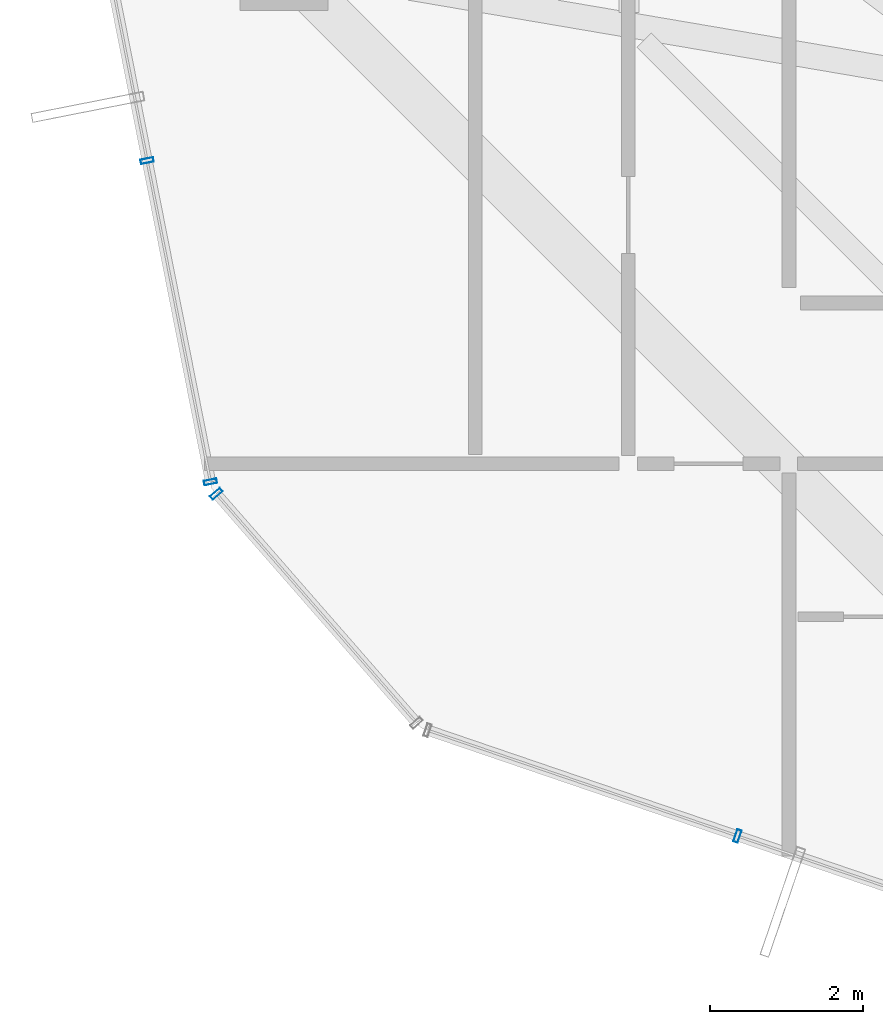
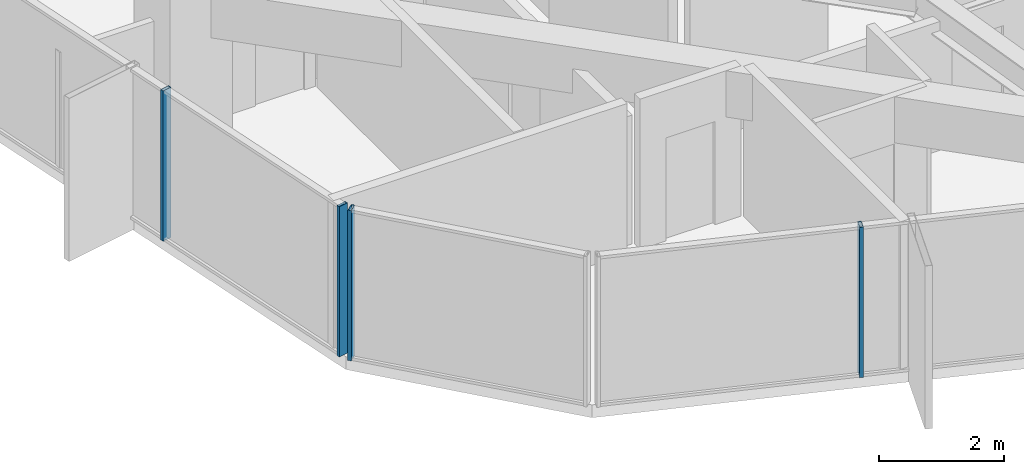
# One storey, part 4 of 36: 4 members, 3 elements without a shape of their own.
"""IFC4 building model written with IfcOpenShell, lengths in metres."""

from ifc_helpers import new_model, si_unit, direction, frame, origin, origin_2d, place, context, subcontext, project, spatial, hollow_rectangle, extrude, source, transform, mapped, material, layer, layer_set, material_profile, profile_set, type_object, element, aggregate, save


model = new_model("IFC4")

# Units and contexts
model_context = context("Model", 3, precision=1e-05, world=origin(), true_north=direction((0.0, 1.0)))
body_context = subcontext(model_context, "Body", "Model", "MODEL_VIEW")
ifc_project = project(units=[si_unit("LENGTHUNIT", "METRE"), si_unit("AREAUNIT", "SQUARE_METRE"), si_unit("VOLUMEUNIT", "CUBIC_METRE"), si_unit("PLANEANGLEUNIT", "RADIAN"), si_unit("MASSUNIT", "GRAM", prefix="KILO")], contexts=[model_context])

# Site, building, storey
site_placement = place(None, origin())
site = spatial("IfcSite", under=ifc_project, at=site_placement, CompositionType="ELEMENT")
building_placement = place(site_placement, origin())
building = spatial("IfcBuilding", under=site, at=building_placement, Name="Veraguas Prism Commons", CompositionType="ELEMENT")
storey_placement = place(building_placement, frame((0.0, 0.0, 166.300048828125)))
storey = spatial("IfcBuildingStorey", under=building, at=storey_placement, Name="L47", CompositionType="ELEMENT", Elevation=166.300048828125)

# Curtain wall, members
ifc_material = material(Name="Anodised aluminium EN AW-6063 T6", Category="aluminium")
ifc_layer = layer(ifc_material, 0.169921875, Name="Unitised Flush Curtain Wall Zone 2", Category="aluminium")
ifc_layer_set = layer_set([ifc_layer], Name="Anodised aluminium EN AW-6063 T6")
curtain_wall_type = type_object("IfcCurtainWallType", Name="Unitised Flush Curtain Wall Zone 2", PredefinedType="NOTDEFINED", material=ifc_layer_set)
curtain_wall_1_placement = place(storey_placement, origin())
curtain_wall_1 = element("IfcCurtainWall", 1, at=curtain_wall_1_placement, inside=storey, type_object=curtain_wall_type, Name="Tower Facade Curtain Wall L47-F3", PredefinedType="NOTDEFINED")
ifc_material_profile = material_profile(ifc_material, hollow_rectangle(XDim=0.06005859375, YDim=0.169921875, WallThickness=0.00390625, at=origin_2d()), Name="AL60X170X4")
ifc_profile_set = profile_set([ifc_material_profile], Name="Anodised aluminium EN AW-6063 T6")
member_type = type_object("IfcMemberType", Name="Curtain Wall Mullion Lower AL 60x170x4", PredefinedType="MULLION", material=ifc_profile_set)
shared_shape = source(origin(), body_context, "Body", "SweptSolid", [
    extrude(hollow_rectangle(XDim=0.06005859375, YDim=0.169921875, WallThickness=0.00390625, at=origin_2d()), origin(), (0.0, 0.0, 1.0), 2.929931640625),
])
member_1_placement = place(storey_placement, frame((6.01416015625, 16.06005859375, 0.0), z_axis=(0.0, 0.0, 1.0), x_axis=(0.193549468051, -0.981090517443, 0.0)))
member_1 = element("IfcMember", 2, at=member_1_placement, type_object=member_type, Name="CW-Z2 Mullion 4", PredefinedType="MULLION", context=body_context, shape_type="MappedRepresentation", body=[
    mapped(shared_shape, transform((0.0, 0.0, 0.0), scale=1.0)),
])
member_2_placement = place(storey_placement, frame((6.84228515625, 11.862548828125, 0.0), z_axis=(0.0, 0.0, 1.0), x_axis=(0.193549468051, -0.981090517443, 0.0)))
member_2 = element("IfcMember", 3, at=member_2_placement, type_object=member_type, Name="CW-Z2 Mullion 5", PredefinedType="MULLION", context=body_context, shape_type="MappedRepresentation", body=[
    mapped(shared_shape, transform((0.0, 0.0, 0.0), scale=1.0)),
])
aggregate(curtain_wall_1, [member_1, member_2])

# Curtain wall, member
curtain_wall_2_placement = place(storey_placement, origin())
curtain_wall_2 = element("IfcCurtainWall", 4, at=curtain_wall_2_placement, inside=storey, type_object=curtain_wall_type, Name="Tower Facade Curtain Wall L47-F4", PredefinedType="NOTDEFINED")
member_3_placement = place(storey_placement, frame((13.727783203125, 7.236572265625, 0.0), z_axis=(0.0, 0.0, 1.0), x_axis=(0.946424609155, -0.322924850679, 0.0)))
member_3 = element("IfcMember", 5, at=member_3_placement, type_object=member_type, Name="CW-Z2 Mullion 2", PredefinedType="MULLION", context=body_context, shape_type="MappedRepresentation", body=[
    mapped(shared_shape, transform((0.0, 0.0, 0.0), scale=1.0)),
])
aggregate(curtain_wall_2, [member_3])

curtain_wall_3_placement = place(storey_placement, origin())
curtain_wall_3 = element("IfcCurtainWall", 6, at=curtain_wall_3_placement, inside=storey, type_object=curtain_wall_type, Name="Chamfer Curtain Wall L47-C4", PredefinedType="NOTDEFINED")
member_4_placement = place(storey_placement, frame((6.9189453125, 11.706298828125, 0.0), z_axis=(0.0, 0.0, 1.0), x_axis=(0.658186352891, -0.752855049042, 0.0)))
member_4 = element("IfcMember", 7, at=member_4_placement, type_object=member_type, Name="CW-Z2 Mullion 1", PredefinedType="MULLION", context=body_context, shape_type="MappedRepresentation", body=[
    mapped(shared_shape, transform((0.0, 0.0, 0.0), scale=1.0)),
])
aggregate(curtain_wall_3, [member_4])

save(model, "model.ifc")
